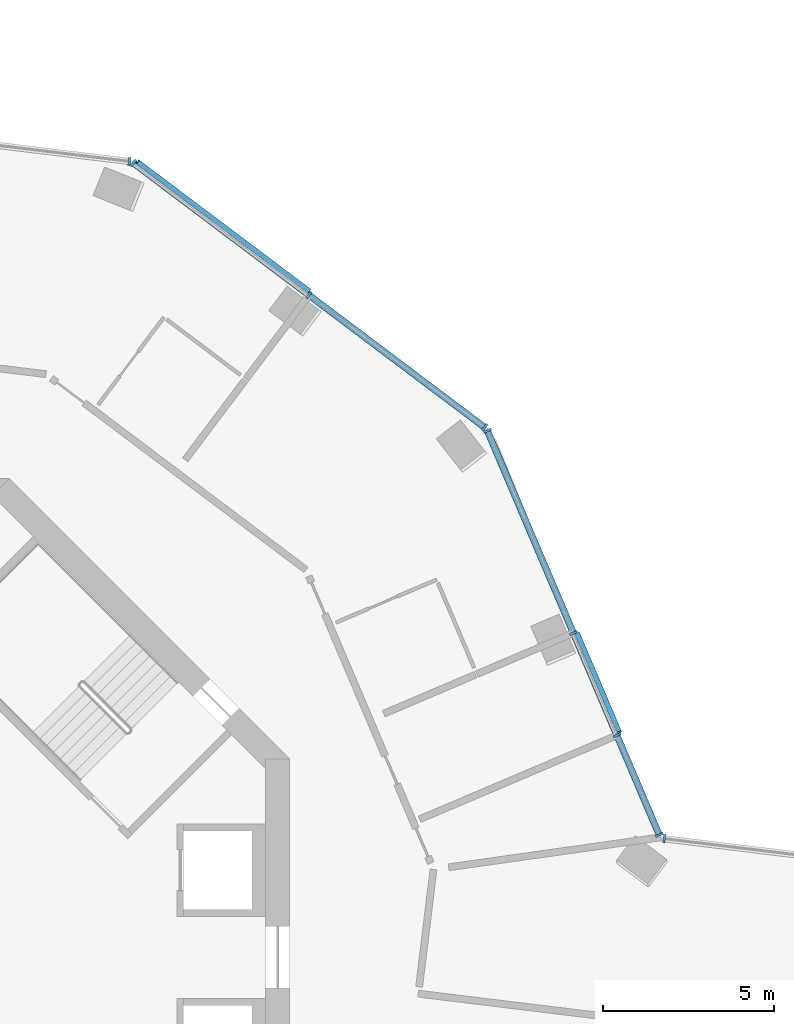
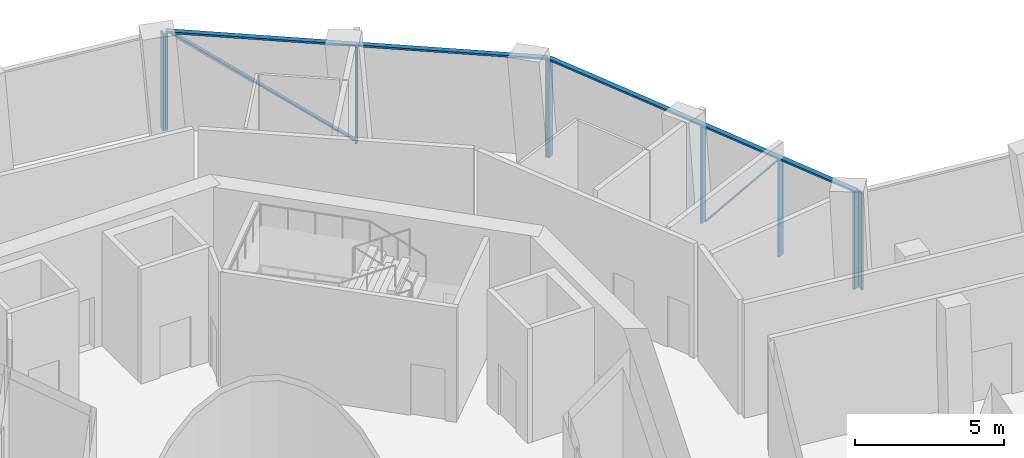
# One storey, part 5 of 17: 13 members, 4 elements without a shape of their own.
"""IFC4 building model written with IfcOpenShell, lengths in metres."""

from ifc_helpers import new_model, si_unit, direction, frame, origin, origin_2d, place, context, subcontext, project, spatial, rectangle, extrude, material, layer, layer_set, material_profile, profile_set, type_object, element, aggregate, save


model = new_model("IFC4")

# Units and contexts
model_context = context("Model", 3, precision=1e-05, world=origin(), true_north=direction((0.0, 1.0)))
body_context = subcontext(model_context, "Body", "Model", "MODEL_VIEW")
ifc_project = project(units=[si_unit("LENGTHUNIT", "METRE"), si_unit("AREAUNIT", "SQUARE_METRE"), si_unit("VOLUMEUNIT", "CUBIC_METRE"), si_unit("PLANEANGLEUNIT", "RADIAN"), si_unit("MASSUNIT", "GRAM", prefix="KILO")], contexts=[model_context])

# Site, building, storey
site_placement = place(None, origin())
site = spatial("IfcSite", under=ifc_project, at=site_placement, CompositionType="ELEMENT")
building_placement = place(site_placement, origin())
building = spatial("IfcBuilding", under=site, at=building_placement, Name="Verdalira Terraces Hotel", CompositionType="ELEMENT")
storey_placement = place(building_placement, frame((0.0, 0.0, 128.0)))
storey = spatial("IfcBuildingStorey", under=building, at=storey_placement, Name="L30", CompositionType="ELEMENT", Elevation=128.0)

# Curtain wall, member
ifc_material_1 = material(Name="Clear glass", Category="glass")
ifc_layer = layer(ifc_material_1, 0.239990234375)
ifc_layer_set = layer_set([ifc_layer], Name="CW5 curtain wall")
curtain_wall_type = type_object("IfcCurtainWallType", Name="CW5 curtain wall", PredefinedType="NOTDEFINED", material=ifc_layer_set)
curtain_wall_1_placement = place(storey_placement, origin())
curtain_wall_1 = element("IfcCurtainWall", 1, at=curtain_wall_1_placement, inside=storey, type_object=curtain_wall_type, Name="CW5 curtain wall L30 edge 38", PredefinedType="NOTDEFINED")
ifc_material_2 = material(Name="Terracotta frame", Category="masonry")
ifc_material_profile_1 = material_profile(ifc_material_2, rectangle(XDim=0.070068, YDim=0.23999, at=origin_2d()), Name="MU 70x240")
ifc_profile_set_1 = profile_set([ifc_material_profile_1], Name="Terracotta frame")
member_type_1 = type_object("IfcMemberType", Name="CW5 mullion 70x240", PredefinedType="MULLION", material=ifc_profile_set_1)
member_1_placement = place(storey_placement, frame((24.949951, 3.472168, 0.0), z_axis=(0.0, 0.0, 1.0), x_axis=(-0.992630991, 0.121176386, 0.0)))
member_1 = element("IfcMember", 2, at=member_1_placement, type_object=member_type_1, Name="CW5 mullion", PredefinedType="MULLION", context=body_context, shape_type="SweptSolid", body=[
    extrude(rectangle(XDim=0.070068, YDim=0.23999, at=origin_2d()), origin(), (0.0, 0.0, 1.0), 3.965088),
])
aggregate(curtain_wall_1, [member_1])

# Curtain wall, members
curtain_wall_2_placement = place(storey_placement, origin())
curtain_wall_2 = element("IfcCurtainWall", 3, at=curtain_wall_2_placement, inside=storey, type_object=curtain_wall_type, Name="CW5 curtain wall L30 edge 39", PredefinedType="NOTDEFINED")
member_2_placement = place(storey_placement, frame((24.805664, 3.580811, 0.0), z_axis=(0.0, 0.0, 1.0), x_axis=(-0.391373667, 0.920231847, 0.0)))
member_2 = element("IfcMember", 4, at=member_2_placement, type_object=member_type_1, Name="CW5 mullion", PredefinedType="MULLION", context=body_context, shape_type="SweptSolid", body=[
    extrude(rectangle(XDim=0.070068, YDim=0.23999, at=origin_2d()), origin(), (0.0, 0.0, 1.0), 3.965088),
])
member_3_placement = place(storey_placement, frame((23.567627, 6.491455, 0.0), z_axis=(0.0, 0.0, 1.0), x_axis=(-0.391373667, 0.920231847, 0.0)))
member_3 = element("IfcMember", 5, at=member_3_placement, type_object=member_type_1, Name="CW5 mullion", PredefinedType="MULLION", context=body_context, shape_type="SweptSolid", body=[
    extrude(rectangle(XDim=0.070068, YDim=0.23999, at=origin_2d()), origin(), (0.0, 0.0, 1.0), 3.965088),
])
member_4_placement = place(storey_placement, frame((22.295654, 9.482422, 0.0), z_axis=(0.0, 0.0, 1.0), x_axis=(-0.391373667, 0.920231847, 0.0)))
member_4 = element("IfcMember", 6, at=member_4_placement, type_object=member_type_1, Name="CW5 mullion", PredefinedType="MULLION", context=body_context, shape_type="SweptSolid", body=[
    extrude(rectangle(XDim=0.070068, YDim=0.23999, at=origin_2d()), origin(), (0.0, 0.0, 1.0), 3.965088),
])
member_5_placement = place(storey_placement, frame((19.78125, 15.394531, 0.0), z_axis=(0.0, 0.0, 1.0), x_axis=(-0.391373667, 0.920231847, 0.0)))
member_5 = element("IfcMember", 7, at=member_5_placement, type_object=member_type_1, Name="CW5 mullion", PredefinedType="MULLION", context=body_context, shape_type="SweptSolid", body=[
    extrude(rectangle(XDim=0.070068, YDim=0.23999, at=origin_2d()), origin(), (0.0, 0.0, 1.0), 3.965088),
])

curtain_wall_3_placement = place(storey_placement, origin())
curtain_wall_3 = element("IfcCurtainWall", 8, at=curtain_wall_3_placement, inside=storey, type_object=curtain_wall_type, Name="CW5 curtain wall L30 edge 40", PredefinedType="NOTDEFINED")
member_6_placement = place(storey_placement, frame((19.701172, 15.496826, 0.0), z_axis=(0.0, 0.0, 1.0), x_axis=(-0.799055462, 0.601257324, 0.0)))
member_6 = element("IfcMember", 9, at=member_6_placement, type_object=member_type_1, Name="CW5 mullion", PredefinedType="MULLION", context=body_context, shape_type="SweptSolid", body=[
    extrude(rectangle(XDim=0.070068, YDim=0.23999, at=origin_2d()), origin(), (0.0, 0.0, 1.0), 3.965088),
])
member_7_placement = place(storey_placement, frame((14.567383, 19.359863, 0.0), z_axis=(0.0, 0.0, 1.0), x_axis=(-0.799055462, 0.601257324, 0.0)))
member_7 = element("IfcMember", 10, at=member_7_placement, type_object=member_type_1, Name="CW5 mullion", PredefinedType="MULLION", context=body_context, shape_type="SweptSolid", body=[
    extrude(rectangle(XDim=0.070068, YDim=0.23999, at=origin_2d()), origin(), (0.0, 0.0, 1.0), 3.965088),
])
member_8_placement = place(storey_placement, frame((9.433594, 23.222656, 0.0), z_axis=(0.0, 0.0, 1.0), x_axis=(-0.799055462, 0.601257324, 0.0)))
member_8 = element("IfcMember", 11, at=member_8_placement, type_object=member_type_1, Name="CW5 mullion", PredefinedType="MULLION", context=body_context, shape_type="SweptSolid", body=[
    extrude(rectangle(XDim=0.070068, YDim=0.23999, at=origin_2d()), origin(), (0.0, 0.0, 1.0), 3.965088),
])

# Curtain wall, member
curtain_wall_4_placement = place(storey_placement, origin())
curtain_wall_4 = element("IfcCurtainWall", 12, at=curtain_wall_4_placement, inside=storey, type_object=curtain_wall_type, Name="CW5 curtain wall L30 edge 41", PredefinedType="NOTDEFINED")
member_9_placement = place(storey_placement, frame((9.313477, 23.27124, 0.0), z_axis=(0.0, 0.0, 1.0), x_axis=(-0.992630991, 0.121176386, 0.0)))
member_9 = element("IfcMember", 13, at=member_9_placement, type_object=member_type_1, Name="CW5 mullion", PredefinedType="MULLION", context=body_context, shape_type="SweptSolid", body=[
    extrude(rectangle(XDim=0.070068, YDim=0.23999, at=origin_2d()), origin(), (0.0, 0.0, 1.0), 3.965088),
])
aggregate(curtain_wall_4, [member_9])

# Member
ifc_material_3 = material(Name="Terracotta frame", Category="masonry")
ifc_material_profile_2 = material_profile(ifc_material_3, rectangle(XDim=0.189941, YDim=0.074951, at=origin_2d()), Name="TR 75x190")
ifc_profile_set_2 = profile_set([ifc_material_profile_2], Name="Terracotta frame")
member_type_2 = type_object("IfcMemberType", Name="CW5 transom 75x190", PredefinedType="USERDEFINED", material=ifc_profile_set_2)
member_10_placement = place(storey_placement, frame((24.819336, 3.548584, 4.002441), z_axis=(-0.391372525, 0.920232333, 0.0), x_axis=(-0.920232333, -0.391372525, 0.0)))
member_10 = element("IfcMember", 14, at=member_10_placement, type_object=member_type_2, Name="CW5 transom", ObjectType="TRANSOM", PredefinedType="USERDEFINED", context=body_context, shape_type="SweptSolid", body=[
    extrude(rectangle(XDim=0.189941, YDim=0.074951, at=origin_2d()), origin(), (0.0, 0.0, 1.0), 12.907715),
])

member_11_placement = place(storey_placement, frame((19.729248, 15.47583, 4.002441), z_axis=(-0.799053408, 0.601260053, 0.0), x_axis=(-0.601260053, -0.799053408, 0.0)))
member_11 = element("IfcMember", 15, at=member_11_placement, type_object=member_type_2, Name="CW5 transom", ObjectType="TRANSOM", PredefinedType="USERDEFINED", context=body_context, shape_type="SweptSolid", body=[
    extrude(rectangle(XDim=0.189941, YDim=0.074951, at=origin_2d()), origin(), (0.0, 0.0, 1.0), 12.919678),
])

ifc_material_4 = material(Name="Terracotta frame", Category="masonry")
ifc_material_profile_3 = material_profile(ifc_material_4, rectangle(XDim=0.149902, YDim=0.060059, at=origin_2d()), Name="GB 60x150")
ifc_profile_set_3 = profile_set([ifc_material_profile_3], Name="Terracotta frame")
member_type_3 = type_object("IfcMemberType", Name="Diagonal glazing bar 60x150", PredefinedType="USERDEFINED", material=ifc_profile_set_3)
member_12_placement = place(storey_placement, frame((23.633545, 6.584473, 3.934326), z_axis=(-0.244879245, 0.575727255, -0.78011043), x_axis=(-0.920218589, -0.391404839, 0.0)))
member_12 = element("IfcMember", 16, at=member_12_placement, type_object=member_type_3, Name="Diagonal glazing bar", ObjectType="GLAZING BAR", PredefinedType="USERDEFINED", context=body_context, shape_type="SweptSolid", body=[
    extrude(rectangle(XDim=0.149902, YDim=0.060059, at=origin_2d()), origin(), (0.0, 0.0, 1.0), 5.003906),
])

aggregate(curtain_wall_2, [member_2, member_3, member_4, member_5, member_10, member_12])

member_13_placement = place(storey_placement, frame((14.563965, 19.483887, 0.026611), z_axis=(-0.677932112, 0.510109144, 0.529336106), x_axis=(-0.601251532, -0.79905982, 0.0)))
member_13 = element("IfcMember", 17, at=member_13_placement, type_object=member_type_3, Name="Diagonal glazing bar", ObjectType="GLAZING BAR", PredefinedType="USERDEFINED", context=body_context, shape_type="SweptSolid", body=[
    extrude(rectangle(XDim=0.149902, YDim=0.060059, at=origin_2d()), origin(), (0.0, 0.0, 1.0), 7.390137),
])

aggregate(curtain_wall_3, [member_6, member_7, member_8, member_11, member_13])

save(model, "model.ifc")
